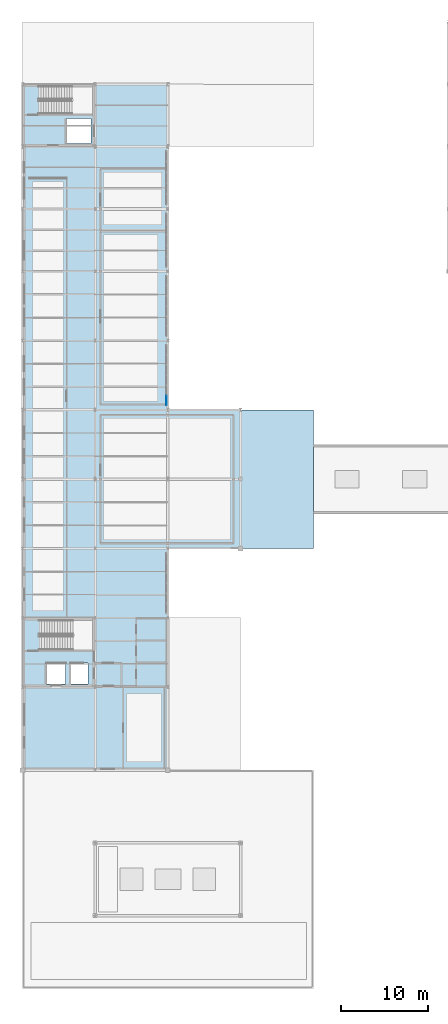
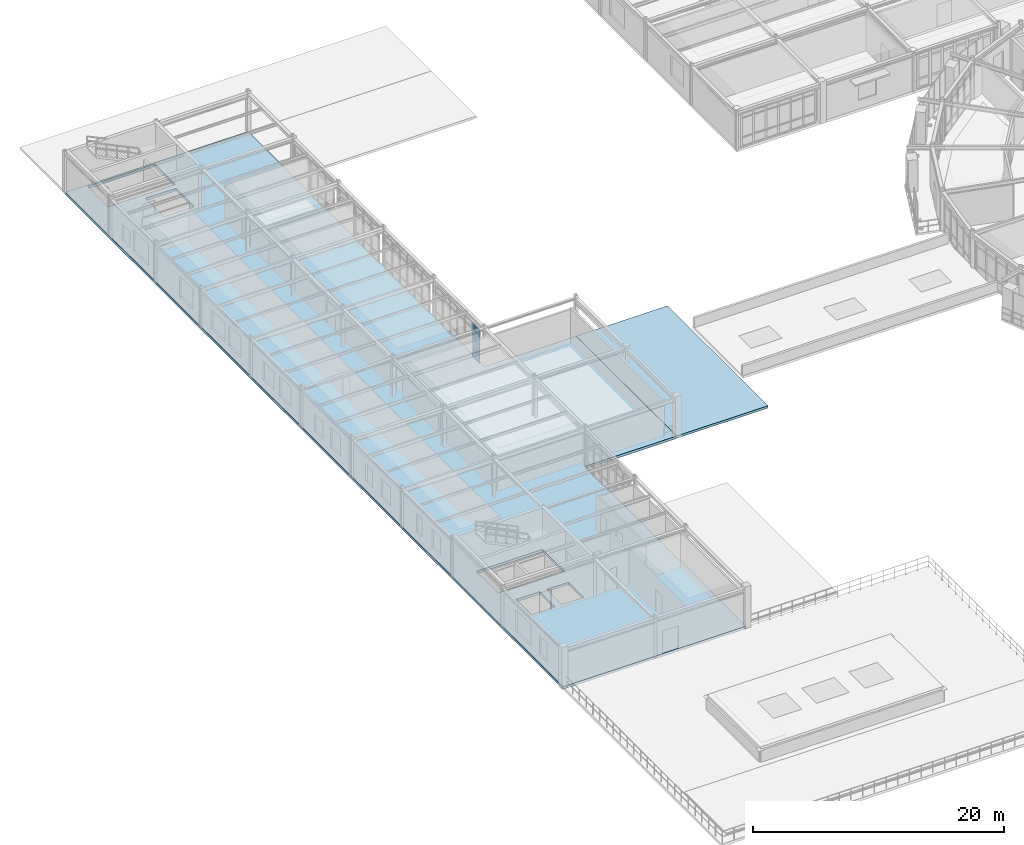
# One storey, part 41 of 70: 3 plates, 2 slabs, 1 element without a shape of its own.
"""IFC4 building model written with IfcOpenShell, lengths in metres."""

import ifcopenshell
import ifcopenshell.guid

model = None  # the IFC model being written
_history = None  # IfcOwnerHistory: only IFC2X3 demands one
_inside = {}  # id of a spatial element -> (the spatial element, [elements in it])
_under = {}  # id of a project, library or spatial element -> (it, [spatial elements below it])
_declared = {}  # id of a project -> (the project, [libraries it declares])
_typed = {}  # id of a type object -> (the type object, [elements of that type])
_made_of = {}  # id of a material, layer set ... -> (it, [elements and type objects made of it])


def new_model(schema):
    """Start an empty IFC model of exactly this schema.

    Asked for "IFC4X3", IfcOpenShell would pick the latest addendum, in which some entities
    have other attributes; the version numbers below select the first issue.
    IFC2X3 requires an IfcOwnerHistory on every rooted entity: one is made here for all.
    """
    global model, _history
    if schema == "IFC4X3":
        model = ifcopenshell.file(schema_version=(4, 3, 0, 0))
    else:
        model = ifcopenshell.file(schema=schema)
    _inside.clear()
    _under.clear()
    _declared.clear()
    _typed.clear()
    _made_of.clear()
    _history = None
    if model.schema == "IFC2X3":
        org = make("IfcOrganization", Name="unknown")
        user = make(
            "IfcPersonAndOrganization",
            ThePerson=make("IfcPerson", FamilyName="unknown"),
            TheOrganization=org,
        )
        app = make(
            "IfcApplication",
            ApplicationDeveloper=org,
            Version="unknown",
            ApplicationFullName="unknown",
            ApplicationIdentifier="unknown",
        )
        _history = make(
            "IfcOwnerHistory",
            OwningUser=user,
            OwningApplication=app,
            ChangeAction="ADDED",
            CreationDate=0,
        )
    return model


def make(cls, **values):
    """One entity of the class cls with the attributes given. An attribute that is None is left unset."""
    return model.create_entity(
        cls, **{name: value for name, value in values.items() if value is not None}
    )


def rooted(cls, **values):
    """An entity with a GlobalId (a new one), such as an element, a storey or a relation."""
    return make(cls, GlobalId=ifcopenshell.guid.new(), OwnerHistory=_history, **values)


def si_unit(unit_type, name, prefix=None):
    """IfcSIUnit, for example si_unit("LENGTHUNIT", "METRE", prefix="MILLI")."""
    return make("IfcSIUnit", UnitType=unit_type, Prefix=prefix, Name=name)


def derived_unit(unit_type, elements):
    """IfcDerivedUnit: a product of units, each with its exponent."""
    return make(
        "IfcDerivedUnit",
        Elements=[
            make("IfcDerivedUnitElement", Unit=unit, Exponent=power)
            for unit, power in elements
        ],
        UnitType=unit_type,
    )


def assignment(units):
    """IfcUnitAssignment: the units of a project."""
    return None if units is None else make("IfcUnitAssignment", Units=units)


def point(xyz):
    """IfcCartesianPoint."""
    return None if xyz is None else make("IfcCartesianPoint", Coordinates=xyz)


def direction(xyz):
    """IfcDirection."""
    return None if xyz is None else make("IfcDirection", DirectionRatios=xyz)


def frame(location, z_axis=None, x_axis=None):
    """IfcAxis2Placement3D, a coordinate frame: its origin and axes. An axis left out is left unset."""
    return make(
        "IfcAxis2Placement3D",
        Location=point(location),
        Axis=direction(z_axis),
        RefDirection=direction(x_axis),
    )


def frame_2d(location, x_axis=None):
    """IfcAxis2Placement2D, a coordinate frame in the plane: its origin and x axis."""
    return make(
        "IfcAxis2Placement2D", Location=point(location), RefDirection=direction(x_axis)
    )


def origin():
    """The frame at (0, 0, 0) with its axes left unset."""
    return frame((0.0, 0.0, 0.0))


def origin_2d():
    """The frame at (0, 0) in the plane with its x axis left unset."""
    return frame_2d((0.0, 0.0))


def place(relative_to, where):
    """IfcLocalPlacement: puts the frame where relative to a parent placement (None: the world)."""
    return make(
        "IfcLocalPlacement", PlacementRelTo=relative_to, RelativePlacement=where
    )


def context(
    kind, dimensions, precision=None, world=None, true_north=None, identifier=None
):
    """IfcGeometricRepresentationContext, for example the 3D "Model" context."""
    return make(
        "IfcGeometricRepresentationContext",
        ContextIdentifier=identifier,
        ContextType=kind,
        CoordinateSpaceDimension=dimensions,
        Precision=precision,
        WorldCoordinateSystem=world,
        TrueNorth=true_north,
    )


def subcontext(parent, identifier, kind, view, scale=None):
    """IfcGeometricRepresentationSubContext, for example "Body" below "Model"."""
    return make(
        "IfcGeometricRepresentationSubContext",
        ContextIdentifier=identifier,
        ContextType=kind,
        ParentContext=parent,
        TargetScale=scale,
        TargetView=view,
    )


def project(units=None, contexts=None):
    """IfcProject with its units and contexts."""
    return rooted(
        "IfcProject",
        Name="project",
        RepresentationContexts=contexts,
        UnitsInContext=assignment(units),
    )


def spatial(cls, under=None, at=None, **own):
    """A site, building, storey or space (cls), placed at a placement, below another one or the project."""
    s = rooted(cls, ObjectPlacement=at, **own)
    if under is not None:
        _under.setdefault(under.id(), (under, []))[1].append(s)
    return s


def polyline(points):
    """IfcPolyline through the points."""
    return make("IfcPolyline", Points=[point(p) for p in points])


def profile(cls, at=None, kind="AREA", **sizes):
    """A parametric profile (cls). Its sizes go by their IFC names, for example OverallWidth=200.0."""
    return make(cls, ProfileType=kind, Position=at, **sizes)


def rectangle(**sizes):
    """IfcRectangleProfileDef."""
    return profile("IfcRectangleProfileDef", **sizes)


def outline(outer, holes=None, kind="AREA"):
    """IfcArbitraryClosedProfileDef: a profile drawn as a closed curve; with holes, ...WithVoids."""
    if holes is None:
        return make("IfcArbitraryClosedProfileDef", ProfileType=kind, OuterCurve=outer)
    return make(
        "IfcArbitraryProfileDefWithVoids",
        ProfileType=kind,
        OuterCurve=outer,
        InnerCurves=holes,
    )


def extrude(swept, where, along, depth):
    """IfcExtrudedAreaSolid: the profile swept, set in the frame where, extruded along a direction by depth."""
    return make(
        "IfcExtrudedAreaSolid",
        SweptArea=swept,
        Position=where,
        ExtrudedDirection=direction(along),
        Depth=depth,
    )


def shape(context_of_items, identifier, shape_type, items):
    """IfcShapeRepresentation: the items that make up one representation, for example the "Body"."""
    return make(
        "IfcShapeRepresentation",
        ContextOfItems=context_of_items,
        RepresentationIdentifier=identifier,
        RepresentationType=shape_type,
        Items=items,
    )


def material(Name=None, Category=None):
    """IfcMaterial."""
    return make("IfcMaterial", Name=Name, Category=Category)


def layer(
    of_material, thickness, ventilated=None, Name=None, Category=None, Priority=None
):
    """IfcMaterialLayer: one layer of a wall or slab, of a material (None: an air gap)."""
    return make(
        "IfcMaterialLayer",
        Material=of_material,
        LayerThickness=thickness,
        IsVentilated=ventilated,
        Name=Name,
        Category=Category,
        Priority=Priority,
    )


def layer_set(layers, Name=None):
    """IfcMaterialLayerSet."""
    return make("IfcMaterialLayerSet", MaterialLayers=layers, LayerSetName=Name)


def made_of(thing, what):
    """Note that an element or type object is made of a material, layer set ...; save() writes the relation."""
    if what is not None:
        _made_of.setdefault(what.id(), (what, []))[1].append(thing)
    return thing


def type_object(cls, material=None, **own):
    """A type object (cls), such as IfcWallType, which elements share."""
    return made_of(rooted(cls, **own), material)


def element(
    cls,
    number,
    at=None,
    inside=None,
    cuts=None,
    type_object=None,
    material=None,
    context=None,
    identifier="Body",
    shape_type=None,
    held_by="IfcProductDefinitionShape",
    body=None,
    shapes=None,
    **own,
):
    """One element of the class cls, such as IfcWall. Its Tag is "e" and its number.

    at: its placement. inside: the storey or other place that contains it. cuts: it is an
    opening in that element (IfcRelVoidsElement). A single representation is given by context,
    identifier, shape_type and body (its items); several are given by shapes. held_by: the class
    of the entity that holds the representations. save() writes the other relations.
    """
    e = rooted(cls, Tag="e%d" % number, ObjectPlacement=at, **own)
    if body is not None:
        shapes = [shape(context, identifier, shape_type, body)]
    if shapes is not None:
        e.Representation = make(held_by, Representations=shapes)
    if inside is not None:
        _inside.setdefault(inside.id(), (inside, []))[1].append(e)
    if cuts is not None:
        rooted(
            "IfcRelVoidsElement", RelatingBuildingElement=cuts, RelatedOpeningElement=e
        )
    if type_object is not None:
        _typed.setdefault(type_object.id(), (type_object, []))[1].append(e)
    return made_of(e, material)


def aggregate(whole, parts):
    """IfcRelAggregates: a whole, such as a stair, and the parts it consists of."""
    return rooted("IfcRelAggregates", RelatingObject=whole, RelatedObjects=parts)


def save(model, path):
    """Write the relations noted so far, then the file.

    IfcRelAggregates (storeys below a building ...), IfcRelContainedInSpatialStructure (elements
    in a storey), IfcRelDefinesByType, IfcRelAssociatesMaterial and IfcRelDeclares: one each for
    every whole, place, type object, material and project.
    """
    for whole, parts in _under.values():
        aggregate(whole, parts)
    for where, things in _inside.values():
        rooted(
            "IfcRelContainedInSpatialStructure",
            RelatedElements=things,
            RelatingStructure=where,
        )
    for kind, things in _typed.values():
        rooted("IfcRelDefinesByType", RelatedObjects=things, RelatingType=kind)
    for what, things in _made_of.values():
        rooted("IfcRelAssociatesMaterial", RelatedObjects=things, RelatingMaterial=what)
    for by, libraries in _declared.values():
        rooted("IfcRelDeclares", RelatingContext=by, RelatedDefinitions=libraries)
    model.write(path)


model = new_model("IFC4")

# Units and contexts
model_context = context("Model", 3, precision=1e-05, world=origin(), true_north=direction((0.0, 1.0)))
body_context = subcontext(model_context, "Body", "Model", "MODEL_VIEW")
ifc_project = project(units=[si_unit("LENGTHUNIT", "METRE"), si_unit("AREAUNIT", "SQUARE_METRE"), si_unit("VOLUMEUNIT", "CUBIC_METRE"), si_unit("PLANEANGLEUNIT", "RADIAN"), si_unit("MASSUNIT", "GRAM", prefix="KILO"), derived_unit("THERMALTRANSMITTANCEUNIT", [(si_unit("POWERUNIT", "WATT"), 1), (si_unit("AREAUNIT", "SQUARE_METRE"), -1), (si_unit("THERMODYNAMICTEMPERATUREUNIT", "KELVIN"), -1)])], contexts=[model_context])

# Site, building, storey
site_placement = place(None, origin())
site = spatial("IfcSite", under=ifc_project, at=site_placement, CompositionType="ELEMENT")
building_placement = place(site_placement, origin())
building = spatial("IfcBuilding", under=site, at=building_placement, Name="Yasenodar Specialist Clinic", CompositionType="ELEMENT")
storey_placement = place(building_placement, frame((0.0, 0.0, 13.199951171875)))
storey = spatial("IfcBuildingStorey", under=building, at=storey_placement, Name="L03", CompositionType="ELEMENT", Elevation=13.199951171875)

# Curtain wall, plates
ifc_material_1 = material(Name="Bronze Anodized Aluminium and Triple Low-E Glass", Category="aluminium")
ifc_layer_1 = layer(ifc_material_1, 0.202880859375)
ifc_layer_set_1 = layer_set([ifc_layer_1], Name="Bronze Anodized Aluminium and Triple Low-E Glass")
curtain_wall_type = type_object("IfcCurtainWallType", Name="CW-SYS-04", PredefinedType="USERDEFINED", material=ifc_layer_set_1)
curtain_wall_placement = place(storey_placement, origin())
curtain_wall = element("IfcCurtainWall", 1, at=curtain_wall_placement, inside=storey, type_object=curtain_wall_type, Name="L03 Unitised Curtain Wall 134", ObjectType="UNITISED CURTAIN WALL", PredefinedType="USERDEFINED")
ifc_material_2 = material(Name="Triple Low-E Argon Glazing", Category="glass")
ifc_layer_2 = layer(ifc_material_2, 0.0400390625)
ifc_layer_set_2 = layer_set([ifc_layer_2], Name="Triple Low-E Argon Glazing")
plate_type = type_object("IfcPlateType", Name="CW-PAN-3", PredefinedType="CURTAIN_PANEL", material=ifc_layer_set_2)
plate_1_placement = place(storey_placement, frame((16.64990234375, 67.881591796875, 0.06005859375), z_axis=(0.0, 0.0, 1.0), x_axis=(0.0, -1.0, 0.0)))
plate_1 = element("IfcPlate", 2, at=plate_1_placement, type_object=plate_type, Name="CW-04 panel 6.1", PredefinedType="CURTAIN_PANEL", context=body_context, shape_type="SweptSolid", body=[
    extrude(rectangle(XDim=1.083251953125, YDim=0.0400390625, at=origin_2d()), origin(), (0.0, 0.0, 1.0), 0.81005859375),
])
plate_2_placement = place(storey_placement, frame((16.64990234375, 67.881591796875, 0.93017578125), z_axis=(0.0, 0.0, 1.0), x_axis=(0.0, -1.0, 0.0)))
plate_2 = element("IfcPlate", 3, at=plate_2_placement, type_object=plate_type, Name="CW-04 panel 6.2", PredefinedType="CURTAIN_PANEL", context=body_context, shape_type="SweptSolid", body=[
    extrude(rectangle(XDim=1.083251953125, YDim=0.0400390625, at=origin_2d()), origin(), (0.0, 0.0, 1.0), 1.818115234375),
])
plate_3_placement = place(storey_placement, frame((16.64990234375, 67.881591796875, 2.80810546875), z_axis=(0.0, 0.0, 1.0), x_axis=(0.0, -1.0, 0.0)))
plate_3 = element("IfcPlate", 4, at=plate_3_placement, type_object=plate_type, Name="CW-04 panel 6.3", PredefinedType="CURTAIN_PANEL", context=body_context, shape_type="SweptSolid", body=[
    extrude(rectangle(XDim=1.083251953125, YDim=0.0400390625, at=origin_2d()), origin(), (0.0, 0.0, 1.0), 0.510009765625),
])
aggregate(curtain_wall, [plate_1, plate_2, plate_3])

# Slabs
ifc_material_3 = material(Name="Concrete C30/37", Category="concrete")
ifc_layer_3 = layer(ifc_material_3, 0.25)
ifc_layer_set_3 = layer_set([ifc_layer_3], Name="Concrete C30/37")
slab_type_1 = type_object("IfcSlabType", Name="SLB-FLR-250", PredefinedType="FLOOR", material=ifc_layer_set_3)
slab_1_placement = place(storey_placement, frame((0.0, 0.0, -0.25)))
element("IfcSlab", 5, at=slab_1_placement, inside=storey, type_object=slab_type_1, Name="L03 V4 structural slab", PredefinedType="FLOOR", context=body_context, shape_type="SweptSolid", body=[
    extrude(outline(polyline([(0.0, 104.39990234375), (16.800048828125, 104.39990234375), (16.800048828125, 66.800048828125), (25.199951171875, 66.800048828125), (25.199951171875, 50.800048828125), (16.800048828125, 50.800048828125), (16.800048828125, 25.215087890625), (0.0, 25.215087890625), (0.0, 104.39990234375)]), holes=[polyline([(8.1201171875, 39.06005859375), (8.1201171875, 42.510009765625), (2.02001953125, 42.510009765625), (2.02001953125, 39.06005859375), (8.1201171875, 39.06005859375)]), polyline([(8.1201171875, 100.9599609375), (8.1201171875, 104.199951171875), (1.929931640625, 104.199951171875), (1.929931640625, 100.9599609375), (8.1201171875, 100.9599609375)]), polyline([(7.60009765625, 35.14990234375), (7.60009765625, 37.550048828125), (5.60009765625, 37.550048828125), (5.60009765625, 35.14990234375), (7.60009765625, 35.14990234375)]), polyline([(5.0, 35.14990234375), (5.0, 37.550048828125), (2.800048828125, 37.550048828125), (2.800048828125, 35.14990234375), (5.0, 35.14990234375)]), polyline([(7.89990234375, 97.550048828125), (7.89990234375, 100.449951171875), (5.10009765625, 100.449951171875), (5.10009765625, 97.550048828125), (7.89990234375, 97.550048828125)])]), origin(), (0.0, 0.0, 1.0), 0.25),
])
ifc_layer_4 = layer(ifc_material_3, 0.22509765625)
ifc_layer_set_4 = layer_set([ifc_layer_4], Name="Concrete C30/37")
slab_type_2 = type_object("IfcSlabType", Name="SLB-ROOF-225", PredefinedType="ROOF", material=ifc_layer_set_4)
slab_2_placement = place(storey_placement, frame((0.0, 0.0, -0.224853515625)))
element("IfcSlab", 6, at=slab_2_placement, inside=storey, type_object=slab_type_2, Name="V4 Forecourt Lounge Setback Roof Slab", PredefinedType="ROOF", context=body_context, shape_type="SweptSolid", body=[
    extrude(outline(polyline([(33.60009765625, 66.800048828125), (33.60009765625, 50.800048828125), (25.215087890625, 50.800048828125), (25.215087890625, 66.800048828125), (33.60009765625, 66.800048828125)])), origin(), (0.0, 0.0, 1.0), 0.224853515625),
])

save(model, "model.ifc")
